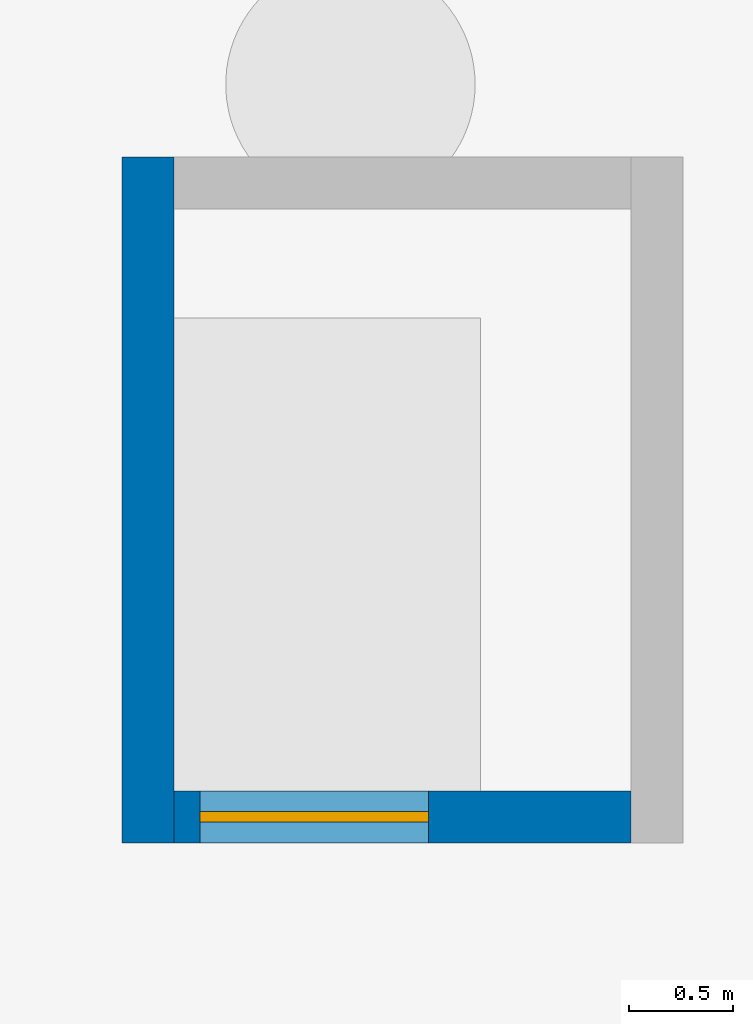
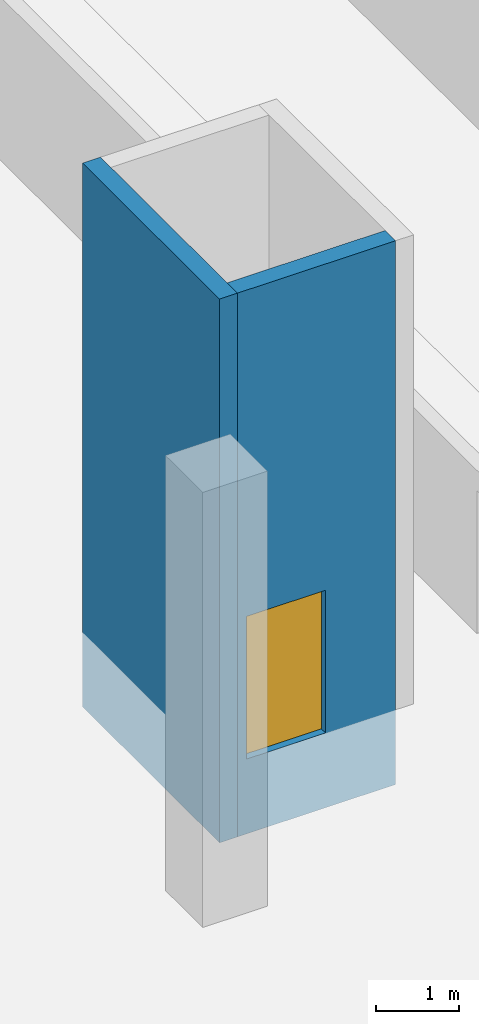
# One storey, part 4 of 16: 2 walls, 1 door, 1 opening.
"""IFC4 building model written with IfcOpenShell, lengths in metres."""

from ifc_helpers import new_model, si_unit, direction, frame, frame_2d, origin, place, context, subcontext, project, spatial, rectangle, extrude, material, layer, layer_set, type_object, element, fill, save


model = new_model("IFC4")

# Units and contexts
model_context = context("Model", 3, precision=1e-05, world=origin(), true_north=direction((0.0, 1.0)))
body_context = subcontext(model_context, "Body", "Model", "MODEL_VIEW")
ifc_project = project(units=[si_unit("LENGTHUNIT", "METRE"), si_unit("AREAUNIT", "SQUARE_METRE"), si_unit("VOLUMEUNIT", "CUBIC_METRE"), si_unit("PLANEANGLEUNIT", "RADIAN"), si_unit("MASSUNIT", "GRAM", prefix="KILO")], contexts=[model_context])

# Site, building, storey
site_placement = place(None, origin())
site = spatial("IfcSite", under=ifc_project, at=site_placement, CompositionType="ELEMENT")
building_placement = place(site_placement, origin())
building = spatial("IfcBuilding", under=site, at=building_placement, Name="Ogive Plaza Stadium", CompositionType="ELEMENT")
storey_placement = place(building_placement, frame((0.0, 0.0, -11.39990234375)))
storey = spatial("IfcBuildingStorey", under=building, at=storey_placement, Name="B2", CompositionType="ELEMENT", Elevation=-11.39990234375)

# Wall
ifc_material_1 = material(Name="Concrete C40/50", Category="concrete")
ifc_layer = layer(ifc_material_1, 0.25)
ifc_layer_set = layer_set([ifc_layer], Name="Concrete C40/50")
wall_type = type_object("IfcWallType", Name="Lift shaft wall 250", PredefinedType="SHEAR", material=ifc_layer_set)
wall_1_placement = place(storey_placement, frame((109.02490234375, 11.35009765625, -1.10009765625), z_axis=(0.0, 0.0, 1.0), x_axis=(0.0, 1.0, 0.0)))
element("IfcWall", 1, at=wall_1_placement, inside=storey, type_object=wall_type, Name="Lift shaft wall 250 B2 west", PredefinedType="SHEAR", context=body_context, shape_type="SweptSolid", body=[
    extrude(rectangle(XDim=3.2998046875, YDim=0.25, at=frame_2d((1.64990234375, 0.0))), origin(), (0.0, 0.0, 1.0), 8.0),
])

# Wall, opening, door
wall_2_placement = place(storey_placement, frame((109.14990234375, 11.47509765625, -1.10009765625), z_axis=(0.0, 0.0, 1.0), x_axis=(1.0, 0.0, 0.0)))
wall_2 = element("IfcWall", 2, at=wall_2_placement, inside=storey, type_object=wall_type, Name="Lift shaft wall 250 B2 south", PredefinedType="SHEAR", context=body_context, shape_type="SweptSolid", body=[
    extrude(rectangle(XDim=2.2001953125, YDim=0.25, at=frame_2d((1.10009765625, 0.0))), origin(), (0.0, 0.0, 1.0), 8.0),
])
opening_placement = place(wall_2_placement, frame((0.125, 0.0, 1.10009765625)))
opening = element("IfcOpeningElement", 3, at=opening_placement, cuts=wall_2, Name="Opening LD004", PredefinedType="OPENING", context=body_context, shape_type="SweptSolid", body=[
    extrude(rectangle(XDim=1.10009765625, YDim=2.10009765625, at=frame_2d((0.550048828125, 1.050048828125))), frame((0.0, 0.125, 0.0), z_axis=(0.0, -1.0, 0.0), x_axis=(1.0, 0.0, 0.0)), (0.0, 0.0, 1.0), 0.25),
])
ifc_material_2 = material(Name="Stainless steel door set", Category="steel")
door_type = type_object("IfcDoorType", Name="Landing door LD 1100 x 2100", OperationType="SLIDING_TO_LEFT", PredefinedType="DOOR", material=ifc_material_2)
door_placement = place(opening_placement, origin())
door = element("IfcDoor", 4, at=door_placement, inside=storey, type_object=door_type, Name="Door LD004", OperationType="SLIDING_TO_LEFT", OverallHeight=2.10009765625, OverallWidth=1.10009765625, PredefinedType="DOOR", context=body_context, shape_type="SweptSolid", body=[
    extrude(rectangle(XDim=1.10009765625, YDim=2.10009765625, at=frame_2d((0.550048828125, 1.050048828125))), frame((0.0, 0.02490234375, 0.0), z_axis=(0.0, -1.0, 0.0), x_axis=(1.0, 0.0, 0.0)), (0.0, 0.0, 1.0), 0.050048828125),
])
fill(opening, door)

save(model, "model.ifc")
